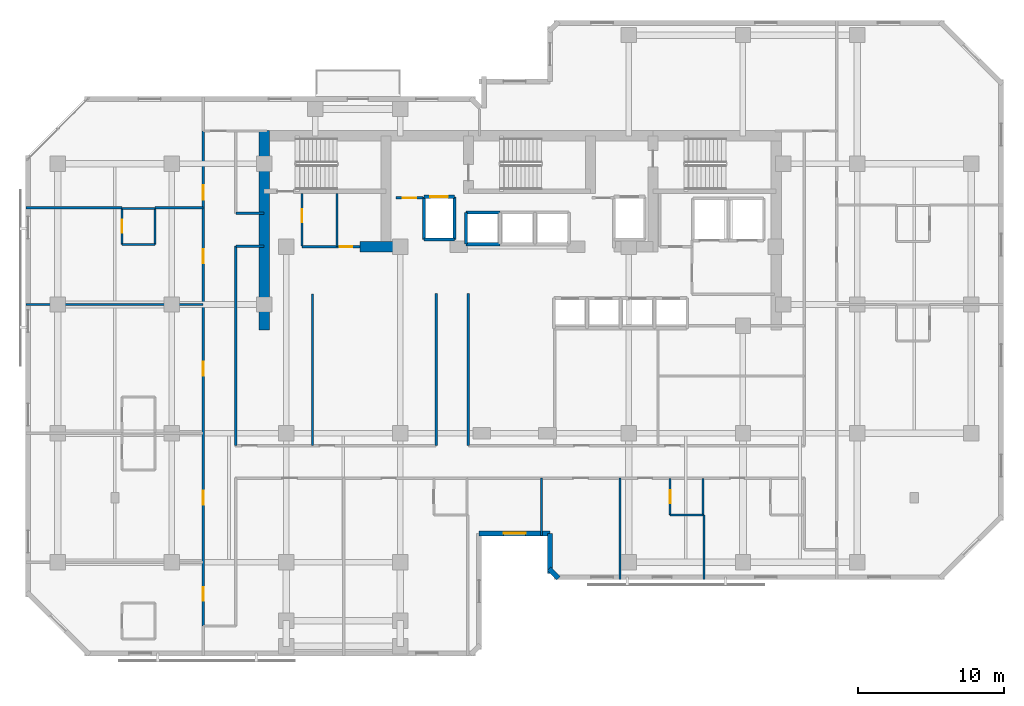
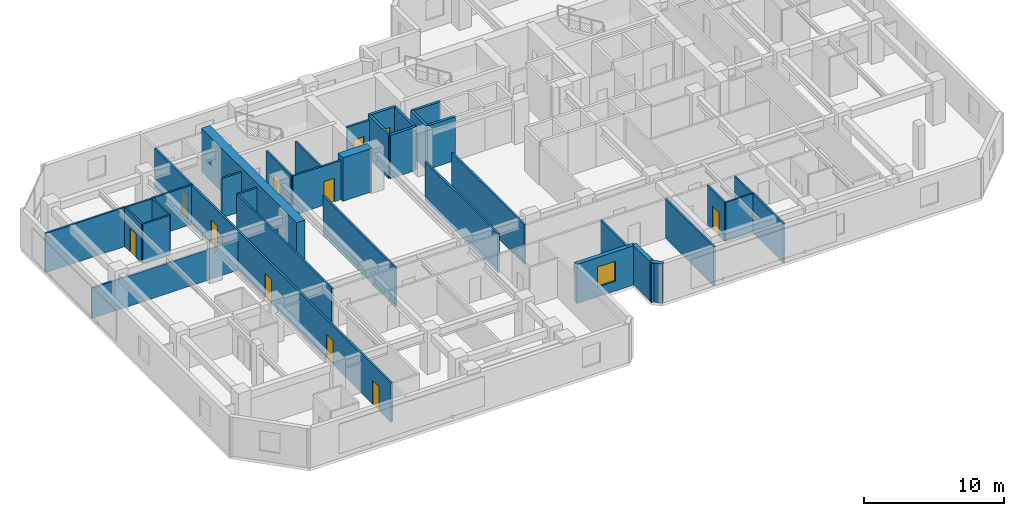
# One storey, part 5 of 11: 36 walls, 11 doors, 1 window, 12 openings.
"""IFC4 building model written with IfcOpenShell, lengths in metres."""

from ifc_helpers import new_model, si_unit, direction, frame, frame_2d, origin, place, context, subcontext, project, spatial, rectangle, extrude, material, layer, layer_set, type_object, element, fill, save


model = new_model("IFC4")

# Units and contexts
model_context = context("Model", 3, precision=1e-05, world=origin(), true_north=direction((0.0, 1.0)))
body_context = subcontext(model_context, "Body", "Model", "MODEL_VIEW")
ifc_project = project(units=[si_unit("LENGTHUNIT", "METRE"), si_unit("AREAUNIT", "SQUARE_METRE"), si_unit("VOLUMEUNIT", "CUBIC_METRE"), si_unit("PLANEANGLEUNIT", "RADIAN"), si_unit("MASSUNIT", "GRAM", prefix="KILO")], contexts=[model_context])

# Site, building, storey
site_placement = place(None, origin())
site = spatial("IfcSite", under=ifc_project, at=site_placement, CompositionType="ELEMENT")
building_placement = place(site_placement, origin())
building = spatial("IfcBuilding", under=site, at=building_placement, Name="Kestravale Grand Hotel", CompositionType="ELEMENT")
storey_placement = place(building_placement, frame((0.0, 0.0, 180.199951171875)))
storey = spatial("IfcBuildingStorey", under=building, at=storey_placement, Name="L45", CompositionType="ELEMENT", Elevation=180.199951171875)

# Walls
ifc_material_1 = material(Name="Concrete f'c 60 MPa", Category="concrete")
ifc_layer_1 = layer(ifc_material_1, 0.699951171875)
ifc_layer_set_1 = layer_set([ifc_layer_1], Name="EW-CORE-700")
wall_type_1 = type_object("IfcWallType", Name="EW-CORE-700", PredefinedType="SHEAR", material=ifc_layer_set_1)
wall_1_placement = place(storey_placement, frame((21.89990234375, 27.050048828125, 0.0), z_axis=(0.0, 0.0, 1.0), x_axis=(0.0, 1.0, 0.0)))
element("IfcWall", 1, at=wall_1_placement, inside=storey, type_object=wall_type_1, Name="L45 core shear wall W1", PredefinedType="SHEAR", context=body_context, shape_type="SweptSolid", body=[
    extrude(rectangle(XDim=13.619873046875, YDim=0.699951171875, at=frame_2d((6.81005859375, 0.0))), origin(), (0.0, 0.0, 1.0), 3.800048828125),
])
wall_2_placement = place(storey_placement, frame((28.449951171875, 32.75, 0.0), z_axis=(0.0, 0.0, 1.0), x_axis=(1.0, 0.0, 0.0)))
element("IfcWall", 2, at=wall_2_placement, inside=storey, type_object=wall_type_1, Name="L45 core shear wall S1", PredefinedType="SHEAR", context=body_context, shape_type="SweptSolid", body=[
    extrude(rectangle(XDim=2.400146484375, YDim=0.699951171875, at=frame_2d((1.2001953125, 0.0))), origin(), (0.0, 0.0, 1.0), 3.800048828125),
])

# Wall, opening, window
ifc_material_2 = material(Name="Precast concrete f'c 45 MPa", Category="concrete")
ifc_layer_2 = layer(ifc_material_2, 0.340087890625)
ifc_layer_set_2 = layer_set([ifc_layer_2], Name="EW-PREC-340")
wall_type_2 = type_object("IfcWallType", Name="EW-PREC-340", PredefinedType="SOLIDWALL", material=ifc_layer_set_2)
wall_3_placement = place(storey_placement, frame((36.580078125, 13.169921875, 0.0), z_axis=(0.0, 0.0, 1.0), x_axis=(1.0, 0.0, 0.0)))
wall_3 = element("IfcWall", 3, at=wall_3_placement, inside=storey, type_object=wall_type_2, Name="L45 fluted precast facade wall 4", PredefinedType="SOLIDWALL", context=body_context, shape_type="SweptSolid", body=[
    extrude(rectangle(XDim=4.83984375, YDim=0.340087890625, at=frame_2d((2.419921875, 0.0))), origin(), (0.0, 0.0, 1.0), 3.420166015625),
])
opening_1_placement = place(wall_3_placement, frame((1.669921875, 0.0, 0.85009765625)))
opening_1 = element("IfcOpeningElement", 4, at=opening_1_placement, cuts=wall_3, Name="Opening W-GUEST-1500", PredefinedType="OPENING", context=body_context, shape_type="SweptSolid", body=[
    extrude(rectangle(XDim=1.5, YDim=1.75, at=frame_2d((0.75, 0.875))), frame((0.0, 0.179931640625, 0.0), z_axis=(0.0, -1.0, 0.0), x_axis=(1.0, 0.0, 0.0)), (0.0, 0.0, 1.0), 0.360107421875),
])
ifc_material_3 = material(Name="Insulated low-E double glazing in aluminium frame", Category="aluminium")
window_type = type_object("IfcWindowType", Name="W-GUEST-1500", PartitioningType="SINGLE_PANEL", PredefinedType="WINDOW", material=ifc_material_3)
window_placement = place(opening_1_placement, origin())
window = element("IfcWindow", 5, at=window_placement, inside=storey, type_object=window_type, Name="L45 exterior window 4.1", OverallHeight=1.75, OverallWidth=1.5, PartitioningType="SINGLE_PANEL", PredefinedType="WINDOW", context=body_context, shape_type="SweptSolid", body=[
    extrude(rectangle(XDim=1.5, YDim=1.75, at=frame_2d((0.75, 0.875))), frame((0.0, 0.030029296875, 0.0), z_axis=(0.0, -1.0, 0.0), x_axis=(1.0, 0.0, 0.0)), (0.0, 0.0, 1.0), 0.06005859375),
])
fill(opening_1, window)

# Walls
wall_4_placement = place(storey_placement, frame((41.419921875, 13.169921875, 0.0), z_axis=(0.0, 0.0, 1.0), x_axis=(0.0, -1.0, 0.0)))
element("IfcWall", 6, at=wall_4_placement, inside=storey, type_object=wall_type_2, Name="L45 fluted precast facade wall 5", PredefinedType="SOLIDWALL", context=body_context, shape_type="SweptSolid", body=[
    extrude(rectangle(XDim=2.739990234375, YDim=0.340087890625, at=frame_2d((1.3701171875, 0.0))), origin(), (0.0, 0.0, 1.0), 3.420166015625),
])
wall_5_placement = place(storey_placement, frame((41.341796875, 10.74853515625, 0.0), z_axis=(0.0, 0.0, 1.0), x_axis=(0.707106781187, -0.707106781187, 0.0)))
element("IfcWall", 7, at=wall_5_placement, inside=storey, type_object=wall_type_2, Name="L45 fluted precast facade wall 6", PredefinedType="SOLIDWALL", context=body_context, shape_type="SweptSolid", body=[
    extrude(rectangle(XDim=0.9287109375, YDim=0.340087890625, at=frame_2d((0.46435546875, 0.0))), origin(), (0.0, 0.0, 1.0), 3.420166015625),
])

# Wall, opening, door
ifc_material_4 = material(Name="Acoustic fire-rated gypsum board partition", Category="other")
ifc_layer_3 = layer(ifc_material_4, 0.159912109375)
ifc_layer_set_3 = layer_set([ifc_layer_3], Name="IW-CORR-160")
wall_type_3 = type_object("IfcWallType", Name="IW-CORR-160", PredefinedType="PARTITIONING", material=ifc_layer_set_3)
wall_6_placement = place(storey_placement, frame((24.47998046875, 32.800048828125, 0.0), z_axis=(0.0, 0.0, 1.0), x_axis=(0.0, 1.0, 0.0)))
wall_6 = element("IfcWall", 8, at=wall_6_placement, inside=storey, type_object=wall_type_3, Name="L45 west core vestibule wall", PredefinedType="PARTITIONING", context=body_context, shape_type="SweptSolid", body=[
    extrude(rectangle(XDim=3.570068359375, YDim=0.159912109375, at=frame_2d((1.78515625, 0.0))), origin(), (0.0, 0.0, 1.0), 3.420166015625),
])
opening_2_placement = place(wall_6_placement, frame((1.603515625, 0.0, 0.0)))
opening_2 = element("IfcOpeningElement", 9, at=opening_2_placement, cuts=wall_6, Name="Opening D-SH-900", PredefinedType="OPENING", context=body_context, shape_type="SweptSolid", body=[
    extrude(rectangle(XDim=0.89990234375, YDim=2.10009765625, at=frame_2d((0.449951171875, 1.050048828125))), frame((0.0, 0.08984375, 0.0), z_axis=(0.0, -1.0, 0.0), x_axis=(1.0, 0.0, 0.0)), (0.0, 0.0, 1.0), 0.179931640625),
])
ifc_material_5 = material(Name="Galvanised 90-minute shaft and service fire door", Category="steel")
door_type_1 = type_object("IfcDoorType", Name="D-SH-900", OperationType="NOTDEFINED", PredefinedType="DOOR", material=ifc_material_5)
door_1_placement = place(opening_2_placement, origin())
door_1 = element("IfcDoor", 10, at=door_1_placement, inside=storey, type_object=door_type_1, Name="D-L45-HK", OperationType="SINGLE_SWING_RIGHT", OverallHeight=2.10009765625, OverallWidth=0.89990234375, PredefinedType="DOOR", context=body_context, shape_type="SweptSolid", body=[
    extrude(rectangle(XDim=0.89990234375, YDim=2.10009765625, at=frame_2d((0.449951171875, 1.050048828125))), frame((0.0, 0.02490234375, 0.0), z_axis=(0.0, -1.0, 0.0), x_axis=(1.0, 0.0, 0.0)), (0.0, 0.0, 1.0), 0.050048828125),
])
fill(opening_2, door_1)

wall_7_placement = place(storey_placement, frame((24.47998046875, 32.75, 0.0), z_axis=(0.0, 0.0, 1.0), x_axis=(1.0, 0.0, 0.0)))
wall_7 = element("IfcWall", 11, at=wall_7_placement, inside=storey, type_object=wall_type_3, Name="W-L45-CWS", PredefinedType="PARTITIONING", context=body_context, shape_type="SweptSolid", body=[
    extrude(rectangle(XDim=3.969970703125, YDim=0.159912109375, at=frame_2d((1.98486328125, 0.0))), origin(), (0.0, 0.0, 1.0), 3.420166015625),
])
opening_3_placement = place(wall_7_placement, frame((2.5849609375, 0.0, 0.0)))
opening_3 = element("IfcOpeningElement", 12, at=opening_3_placement, cuts=wall_7, Name="Opening D-SH-860", PredefinedType="OPENING", context=body_context, shape_type="SweptSolid", body=[
    extrude(rectangle(XDim=0.860107421875, YDim=2.050048828125, at=frame_2d((0.43017578125, 1.02490234375))), frame((0.0, 0.08984375, 0.0), z_axis=(0.0, -1.0, 0.0), x_axis=(1.0, 0.0, 0.0)), (0.0, 0.0, 1.0), 0.179931640625),
])
ifc_material_6 = material(Name="Galvanised 90-minute riser fire door", Category="steel")
door_type_2 = type_object("IfcDoorType", Name="D-SH-860", OperationType="NOTDEFINED", PredefinedType="DOOR", material=ifc_material_6)
door_2_placement = place(opening_3_placement, origin())
door_2 = element("IfcDoor", 13, at=door_2_placement, inside=storey, type_object=door_type_2, Name="D-L45-ELEC", OperationType="SINGLE_SWING_RIGHT", OverallHeight=2.050048828125, OverallWidth=0.860107421875, PredefinedType="DOOR", context=body_context, shape_type="SweptSolid", body=[
    extrude(rectangle(XDim=0.860107421875, YDim=2.050048828125, at=frame_2d((0.43017578125, 1.02490234375))), frame((0.0, 0.02490234375, 0.0), z_axis=(0.0, -1.0, 0.0), x_axis=(1.0, 0.0, 0.0)), (0.0, 0.0, 1.0), 0.050048828125),
])
fill(opening_3, door_2)

# Walls
for number, where, z_axis, x_axis, name in (
    (14, (33.64990234375, 19.159912109375, 0.0), (0.0, 0.0, 1.0), (0.0, 1.0, 0.0), "W-L45-TRUNK-W"),
    (15, (35.85009765625, 19.159912109375, 0.0), (0.0, 0.0, 1.0), (0.0, 1.0, 0.0), "W-L45-TRUNK-E"),
):
    element("IfcWall", number, at=place(storey_placement, frame(where, z_axis=z_axis, x_axis=x_axis)), inside=storey, type_object=wall_type_3, Name=name, PredefinedType="PARTITIONING", context=body_context, shape_type="SweptSolid", body=[
        extrude(rectangle(XDim=10.39013671875, YDim=0.159912109375, at=frame_2d((5.195068359375, 0.0))), origin(), (0.0, 0.0, 1.0), 3.420166015625),
    ])

# Wall, openings, doors
wall_8_placement = place(storey_placement, frame((17.739990234375, 6.85009765625, 0.0), z_axis=(0.0, 0.0, 1.0), x_axis=(0.0, 1.0, 0.0)))
wall_8 = element("IfcWall", 16, at=wall_8_placement, inside=storey, type_object=wall_type_3, Name="W-L45-SW-W", PredefinedType="PARTITIONING", context=body_context, shape_type="SweptSolid", body=[
    extrude(rectangle(XDim=33.7998046875, YDim=0.159912109375, at=frame_2d((16.89990234375, 0.0))), origin(), (0.0, 0.0, 1.0), 3.420166015625),
])
opening_4_placement = place(wall_8_placement, frame((1.699951171875, 0.0, 0.0)))
opening_4 = element("IfcOpeningElement", 17, at=opening_4_placement, cuts=wall_8, Name="Opening D-GUEST-950", PredefinedType="OPENING", context=body_context, shape_type="SweptSolid", body=[
    extrude(rectangle(XDim=0.949951171875, YDim=2.10009765625, at=frame_2d((0.47509765625, 1.050048828125))), frame((0.0, 0.08984375, 0.0), z_axis=(0.0, -1.0, 0.0), x_axis=(1.0, 0.0, 0.0)), (0.0, 0.0, 1.0), 0.179931640625),
])
opening_5_placement = place(wall_8_placement, frame((8.27490234375, 0.0, 0.0)))
opening_5 = element("IfcOpeningElement", 18, at=opening_5_placement, cuts=wall_8, Name="Opening D-GUEST-950", PredefinedType="OPENING", context=body_context, shape_type="SweptSolid", body=[
    extrude(rectangle(XDim=0.949951171875, YDim=2.10009765625, at=frame_2d((0.47509765625, 1.050048828125))), frame((0.0, 0.08984375, 0.0), z_axis=(0.0, -1.0, 0.0), x_axis=(1.0, 0.0, 0.0)), (0.0, 0.0, 1.0), 0.179931640625),
])
opening_6_placement = place(wall_8_placement, frame((17.074951171875, 0.0, 0.0)))
opening_6 = element("IfcOpeningElement", 19, at=opening_6_placement, cuts=wall_8, Name="Opening D-GUEST-950", PredefinedType="OPENING", context=body_context, shape_type="SweptSolid", body=[
    extrude(rectangle(XDim=0.949951171875, YDim=2.10009765625, at=frame_2d((0.47509765625, 1.050048828125))), frame((0.0, 0.08984375, 0.0), z_axis=(0.0, -1.0, 0.0), x_axis=(1.0, 0.0, 0.0)), (0.0, 0.0, 1.0), 0.179931640625),
])
opening_7_placement = place(wall_8_placement, frame((24.77490234375, 0.0, 0.0)))
opening_7 = element("IfcOpeningElement", 20, at=opening_7_placement, cuts=wall_8, Name="Opening D-GUEST-950", PredefinedType="OPENING", context=body_context, shape_type="SweptSolid", body=[
    extrude(rectangle(XDim=0.949951171875, YDim=2.10009765625, at=frame_2d((0.47509765625, 1.050048828125))), frame((0.0, 0.08984375, 0.0), z_axis=(0.0, -1.0, 0.0), x_axis=(1.0, 0.0, 0.0)), (0.0, 0.0, 1.0), 0.179931640625),
])
opening_8_placement = place(wall_8_placement, frame((29.10009765625, 0.0, 0.0)))
opening_8 = element("IfcOpeningElement", 21, at=opening_8_placement, cuts=wall_8, Name="Opening D-GUEST-1000", PredefinedType="OPENING", context=body_context, shape_type="SweptSolid", body=[
    extrude(rectangle(XDim=1.0, YDim=2.14990234375, at=frame_2d((0.5, 1.074951171875))), frame((0.0, 0.08984375, 0.0), z_axis=(0.0, -1.0, 0.0), x_axis=(1.0, 0.0, 0.0)), (0.0, 0.0, 1.0), 0.179931640625),
])
ifc_material_7 = material(Name="Accessible walnut veneer hotel entrance fire door", Category="wood")
door_type_3 = type_object("IfcDoorType", Name="D-GUEST-1000", OperationType="NOTDEFINED", PredefinedType="DOOR", material=ifc_material_7)
door_3_placement = place(opening_8_placement, origin())
door_3 = element("IfcDoor", 22, at=door_3_placement, inside=storey, type_object=door_type_3, Name="D-L45-AMWW", OperationType="SINGLE_SWING_LEFT", OverallHeight=2.14990234375, OverallWidth=1.0, PredefinedType="DOOR", context=body_context, shape_type="SweptSolid", body=[
    extrude(rectangle(XDim=1.0, YDim=2.14990234375, at=frame_2d((0.5, 1.074951171875))), frame((0.0, 0.02490234375, 0.0), z_axis=(0.0, -1.0, 0.0), x_axis=(1.0, 0.0, 0.0)), (0.0, 0.0, 1.0), 0.050048828125),
])
fill(opening_8, door_3)
ifc_material_8 = material(Name="Walnut veneer hotel guestroom entrance fire door", Category="wood")
door_type_4 = type_object("IfcDoorType", Name="D-GUEST-950", OperationType="NOTDEFINED", PredefinedType="DOOR", material=ifc_material_8)
door_4_placement = place(opening_4_placement, origin())
door_4 = element("IfcDoor", 23, at=door_4_placement, inside=storey, type_object=door_type_4, Name="D-L45-U04-ENT", OperationType="SINGLE_SWING_RIGHT", OverallHeight=2.10009765625, OverallWidth=0.949951171875, PredefinedType="DOOR", context=body_context, shape_type="SweptSolid", body=[
    extrude(rectangle(XDim=0.949951171875, YDim=2.10009765625, at=frame_2d((0.47509765625, 1.050048828125))), frame((0.0, 0.02490234375, 0.0), z_axis=(0.0, -1.0, 0.0), x_axis=(1.0, 0.0, 0.0)), (0.0, 0.0, 1.0), 0.050048828125),
])
fill(opening_4, door_4)
door_5_placement = place(opening_5_placement, origin())
door_5 = element("IfcDoor", 24, at=door_5_placement, inside=storey, type_object=door_type_4, Name="D-L45-U05-ENT", OperationType="SINGLE_SWING_RIGHT", OverallHeight=2.10009765625, OverallWidth=0.949951171875, PredefinedType="DOOR", context=body_context, shape_type="SweptSolid", body=[
    extrude(rectangle(XDim=0.949951171875, YDim=2.10009765625, at=frame_2d((0.47509765625, 1.050048828125))), frame((0.0, 0.02490234375, 0.0), z_axis=(0.0, -1.0, 0.0), x_axis=(1.0, 0.0, 0.0)), (0.0, 0.0, 1.0), 0.050048828125),
])
fill(opening_5, door_5)
door_6_placement = place(opening_6_placement, origin())
door_6 = element("IfcDoor", 25, at=door_6_placement, inside=storey, type_object=door_type_4, Name="D-L45-U06-ENT", OperationType="SINGLE_SWING_RIGHT", OverallHeight=2.10009765625, OverallWidth=0.949951171875, PredefinedType="DOOR", context=body_context, shape_type="SweptSolid", body=[
    extrude(rectangle(XDim=0.949951171875, YDim=2.10009765625, at=frame_2d((0.47509765625, 1.050048828125))), frame((0.0, 0.02490234375, 0.0), z_axis=(0.0, -1.0, 0.0), x_axis=(1.0, 0.0, 0.0)), (0.0, 0.0, 1.0), 0.050048828125),
])
fill(opening_6, door_6)
door_7_placement = place(opening_7_placement, origin())
door_7 = element("IfcDoor", 26, at=door_7_placement, inside=storey, type_object=door_type_4, Name="D-L45-U07-ENT", OperationType="SINGLE_SWING_RIGHT", OverallHeight=2.10009765625, OverallWidth=0.949951171875, PredefinedType="DOOR", context=body_context, shape_type="SweptSolid", body=[
    extrude(rectangle(XDim=0.949951171875, YDim=2.10009765625, at=frame_2d((0.47509765625, 1.050048828125))), frame((0.0, 0.02490234375, 0.0), z_axis=(0.0, -1.0, 0.0), x_axis=(1.0, 0.0, 0.0)), (0.0, 0.0, 1.0), 0.050048828125),
])
fill(opening_7, door_7)

# Walls
for number, where, z_axis, x_axis, name in (
    (27, (19.9599609375, 35.02001953125, 0.0), (0.0, 0.0, 1.0), (1.0, 0.0, 0.0), "W-L45-SW-CN"),
    (28, (19.9599609375, 32.780029296875, 0.0), (0.0, 0.0, 1.0), (1.0, 0.0, 0.0), "W-L45-SW-CS"),
):
    element("IfcWall", number, at=place(storey_placement, frame(where, z_axis=z_axis, x_axis=x_axis)), inside=storey, type_object=wall_type_3, Name=name, PredefinedType="PARTITIONING", context=body_context, shape_type="SweptSolid", body=[
        extrude(rectangle(XDim=1.93994140625, YDim=0.159912109375, at=frame_2d((0.969970703125, 0.0))), origin(), (0.0, 0.0, 1.0), 3.420166015625),
    ])

# Wall, opening, door
ifc_material_9 = material(Name="Fire-rated gypsum board on steel studs with mineral wool", Category="steel")
ifc_layer_4 = layer(ifc_material_9, 0.179931640625)
ifc_layer_set_4 = layer_set([ifc_layer_4], Name="IW-FSAE-180")
wall_type_4 = type_object("IfcWallType", Name="IW-FSAE-180", PredefinedType="PARTITIONING", material=ifc_layer_set_4)
wall_9_placement = place(storey_placement, frame((30.89990234375, 36.080078125, 0.0), z_axis=(0.0, 0.0, 1.0), x_axis=(1.0, 0.0, 0.0)))
wall_9 = element("IfcWall", 29, at=wall_9_placement, inside=storey, type_object=wall_type_4, Name="L45 FSAE Lobby 1 smoke barrier", PredefinedType="PARTITIONING", context=body_context, shape_type="SweptSolid", body=[
    extrude(rectangle(XDim=1.85009765625, YDim=0.179931640625, at=frame_2d((0.925048828125, 0.0))), origin(), (0.0, 0.0, 1.0), 3.420166015625),
])
opening_9_placement = place(wall_9_placement, frame((0.47998046875, 0.0, 0.0)))
opening_9 = element("IfcOpeningElement", 30, at=opening_9_placement, cuts=wall_9, Name="Opening D-FSAE-1000", PredefinedType="OPENING", context=body_context, shape_type="SweptSolid", body=[
    extrude(rectangle(XDim=0.89990234375, YDim=2.14990234375, at=frame_2d((0.449951171875, 1.074951171875))), frame((0.0, 0.099853515625, 0.0), z_axis=(0.0, -1.0, 0.0), x_axis=(1.0, 0.0, 0.0)), (0.0, 0.0, 1.0), 0.199951171875),
])
ifc_material_10 = material(Name="Smoke-gasketed FSAE lobby fire door", Category="steel")
door_type_5 = type_object("IfcDoorType", Name="D-FSAE-1000", OperationType="NOTDEFINED", PredefinedType="DOOR", material=ifc_material_10)
door_8_placement = place(opening_9_placement, origin())
door_8 = element("IfcDoor", 31, at=door_8_placement, inside=storey, type_object=door_type_5, Name="L45 FSAE Lobby 1 fire door", OperationType="SINGLE_SWING_RIGHT", OverallHeight=2.14990234375, OverallWidth=0.89990234375, PredefinedType="DOOR", context=body_context, shape_type="SweptSolid", body=[
    extrude(rectangle(XDim=0.89990234375, YDim=2.14990234375, at=frame_2d((0.449951171875, 1.074951171875))), frame((0.0, 0.02490234375, 0.0), z_axis=(0.0, -1.0, 0.0), x_axis=(1.0, 0.0, 0.0)), (0.0, 0.0, 1.0), 0.050048828125),
])
fill(opening_9, door_8)

ifc_material_11 = material(Name="Moisture-resistant tile-backer plumbing chase wall", Category="other")
ifc_layer_5 = layer(ifc_material_11, 0.139892578125)
ifc_layer_set_5 = layer_set([ifc_layer_5], Name="IW-PLB-140")
wall_type_5 = type_object("IfcWallType", Name="IW-PLB-140", PredefinedType="PLUMBINGWALL", material=ifc_layer_set_5)
wall_10_placement = place(storey_placement, frame((49.632568359375, 14.429931640625, 0.0), z_axis=(0.0, 0.0, 1.0), x_axis=(0.0, 1.0, 0.0)))
wall_10 = element("IfcWall", 32, at=wall_10_placement, inside=storey, type_object=wall_type_5, Name="W-L45-U02-BW", PredefinedType="PLUMBINGWALL", context=body_context, shape_type="SweptSolid", body=[
    extrude(rectangle(XDim=2.489990234375, YDim=0.139892578125, at=frame_2d((1.2451171875, 0.0))), origin(), (0.0, 0.0, 1.0), 3.420166015625),
])
opening_10_placement = place(wall_10_placement, frame((0.804931640625, 0.0, 0.0)))
opening_10 = element("IfcOpeningElement", 33, at=opening_10_placement, cuts=wall_10, Name="Opening D-BATH-880", PredefinedType="OPENING", context=body_context, shape_type="SweptSolid", body=[
    extrude(rectangle(XDim=0.8798828125, YDim=2.050048828125, at=frame_2d((0.43994140625, 1.02490234375))), frame((0.0, 0.079833984375, 0.0), z_axis=(0.0, -1.0, 0.0), x_axis=(1.0, 0.0, 0.0)), (0.0, 0.0, 1.0), 0.159912109375),
])
ifc_material_12 = material(Name="Moisture-sealed walnut en-suite bathroom door", Category="wood")
door_type_6 = type_object("IfcDoorType", Name="D-BATH-880", OperationType="NOTDEFINED", PredefinedType="DOOR", material=ifc_material_12)
door_9_placement = place(opening_10_placement, origin())
door_9 = element("IfcDoor", 34, at=door_9_placement, inside=storey, type_object=door_type_6, Name="D-L45-U02-BATH", OperationType="SINGLE_SWING_LEFT", OverallHeight=2.050048828125, OverallWidth=0.8798828125, PredefinedType="DOOR", context=body_context, shape_type="SweptSolid", body=[
    extrude(rectangle(XDim=0.8798828125, YDim=2.050048828125, at=frame_2d((0.43994140625, 1.02490234375))), frame((0.0, 0.02490234375, 0.0), z_axis=(0.0, -1.0, 0.0), x_axis=(1.0, 0.0, 0.0)), (0.0, 0.0, 1.0), 0.050048828125),
])
fill(opening_10, door_9)

# Walls
wall_11_placement = place(storey_placement, frame((51.882568359375, 14.429931640625, 0.0), z_axis=(0.0, 0.0, 1.0), x_axis=(0.0, 1.0, 0.0)))
element("IfcWall", 35, at=wall_11_placement, inside=storey, type_object=wall_type_5, Name="W-L45-U02-BE", PredefinedType="PLUMBINGWALL", context=body_context, shape_type="SweptSolid", body=[
    extrude(rectangle(XDim=2.489990234375, YDim=0.139892578125, at=frame_2d((1.2451171875, 0.0))), origin(), (0.0, 0.0, 1.0), 3.420166015625),
])
wall_12_placement = place(storey_placement, frame((49.632568359375, 14.429931640625, 0.0), z_axis=(0.0, 0.0, 1.0), x_axis=(1.0, 0.0, 0.0)))
element("IfcWall", 36, at=wall_12_placement, inside=storey, type_object=wall_type_5, Name="W-L45-U02-BS", PredefinedType="PLUMBINGWALL", context=body_context, shape_type="SweptSolid", body=[
    extrude(rectangle(XDim=2.25, YDim=0.139892578125, at=frame_2d((1.125, 0.0))), origin(), (0.0, 0.0, 1.0), 3.420166015625),
])

# Wall, opening, door
wall_13_placement = place(storey_placement, frame((12.199951171875, 32.909912109375, 0.0), z_axis=(0.0, 0.0, 1.0), x_axis=(0.0, 1.0, 0.0)))
wall_13 = element("IfcWall", 37, at=wall_13_placement, inside=storey, type_object=wall_type_5, Name="W-L45-U07-BW", PredefinedType="PLUMBINGWALL", context=body_context, shape_type="SweptSolid", body=[
    extrude(rectangle(XDim=2.4501953125, YDim=0.139892578125, at=frame_2d((1.22509765625, 0.0))), origin(), (0.0, 0.0, 1.0), 3.420166015625),
])
opening_11_placement = place(wall_13_placement, frame((0.784912109375, 0.0, 0.0)))
opening_11 = element("IfcOpeningElement", 38, at=opening_11_placement, cuts=wall_13, Name="Opening D-BATH-880", PredefinedType="OPENING", context=body_context, shape_type="SweptSolid", body=[
    extrude(rectangle(XDim=0.8798828125, YDim=2.050048828125, at=frame_2d((0.43994140625, 1.02490234375))), frame((0.0, 0.079833984375, 0.0), z_axis=(0.0, -1.0, 0.0), x_axis=(1.0, 0.0, 0.0)), (0.0, 0.0, 1.0), 0.159912109375),
])
door_10_placement = place(opening_11_placement, origin())
door_10 = element("IfcDoor", 39, at=door_10_placement, inside=storey, type_object=door_type_6, Name="D-L45-U07-BATH", OperationType="SINGLE_SWING_LEFT", OverallHeight=2.050048828125, OverallWidth=0.8798828125, PredefinedType="DOOR", context=body_context, shape_type="SweptSolid", body=[
    extrude(rectangle(XDim=0.8798828125, YDim=2.050048828125, at=frame_2d((0.43994140625, 1.02490234375))), frame((0.0, 0.02490234375, 0.0), z_axis=(0.0, -1.0, 0.0), x_axis=(1.0, 0.0, 0.0)), (0.0, 0.0, 1.0), 0.050048828125),
])
fill(opening_11, door_10)

# Walls
wall_14_placement = place(storey_placement, frame((14.449951171875, 32.909912109375, 0.0), z_axis=(0.0, 0.0, 1.0), x_axis=(0.0, 1.0, 0.0)))
element("IfcWall", 40, at=wall_14_placement, inside=storey, type_object=wall_type_5, Name="W-L45-U07-BE", PredefinedType="PLUMBINGWALL", context=body_context, shape_type="SweptSolid", body=[
    extrude(rectangle(XDim=2.4501953125, YDim=0.139892578125, at=frame_2d((1.22509765625, 0.0))), origin(), (0.0, 0.0, 1.0), 3.420166015625),
])
for number, where, z_axis, x_axis, name in (
    (41, (12.199951171875, 32.909912109375, 0.0), (0.0, 0.0, 1.0), (1.0, 0.0, 0.0), "W-L45-U07-BS"),
    (42, (12.199951171875, 35.360107421875, 0.0), (0.0, 0.0, 1.0), (1.0, 0.0, 0.0), "W-L45-U07-BN"),
):
    element("IfcWall", number, at=place(storey_placement, frame(where, z_axis=z_axis, x_axis=x_axis)), inside=storey, type_object=wall_type_5, Name=name, PredefinedType="PLUMBINGWALL", context=body_context, shape_type="SweptSolid", body=[
        extrude(rectangle(XDim=2.25, YDim=0.139892578125, at=frame_2d((1.125, 0.0))), origin(), (0.0, 0.0, 1.0), 3.420166015625),
    ])
ifc_material_13 = material(Name="Concrete f'c 45 MPa", Category="concrete")
ifc_layer_6 = layer(ifc_material_13, 0.199951171875)
ifc_layer_set_6 = layer_set([ifc_layer_6], Name="IW-SHAFT-200")
wall_type_6 = type_object("IfcWallType", Name="IW-SHAFT-200", PredefinedType="SHEAR", material=ifc_layer_set_6)
wall_15_placement = place(storey_placement, frame((35.679931640625, 32.919921875, 0.0), z_axis=(0.0, 0.0, 1.0), x_axis=(0.0, 1.0, 0.0)))
element("IfcWall", 43, at=wall_15_placement, inside=storey, type_object=wall_type_6, Name="L45 PL-X1 west shaft wall", PredefinedType="SHEAR", context=body_context, shape_type="SweptSolid", body=[
    extrude(rectangle(XDim=2.16015625, YDim=0.199951171875, at=frame_2d((1.080078125, 0.0))), origin(), (0.0, 0.0, 1.0), 3.800048828125),
])
for number, where, z_axis, x_axis, name in (
    (44, (32.804931640625, 33.2451171875, 0.0), (0.0, 0.0, 1.0), (0.0, 1.0, 0.0), "L45 FL-1 west shaft wall"),
    (45, (34.89501953125, 33.2451171875, 0.0), (0.0, 0.0, 1.0), (0.0, 1.0, 0.0), "L45 FL-1 east shaft wall"),
):
    element("IfcWall", number, at=place(storey_placement, frame(where, z_axis=z_axis, x_axis=x_axis)), inside=storey, type_object=wall_type_6, Name=name, PredefinedType="SHEAR", context=body_context, shape_type="SweptSolid", body=[
        extrude(rectangle(XDim=2.909912109375, YDim=0.199951171875, at=frame_2d((1.455078125, 0.0))), origin(), (0.0, 0.0, 1.0), 3.800048828125),
    ])
ifc_material_14 = material(Name="Concrete f'c 45 MPa", Category="concrete")
ifc_layer_7 = layer(ifc_material_14, 0.219970703125)
ifc_layer_set_7 = layer_set([ifc_layer_7], Name="IW-SHAFT-220")
wall_type_7 = type_object("IfcWallType", Name="IW-SHAFT-220", PredefinedType="SHEAR", material=ifc_layer_set_7)
for number, where, z_axis, x_axis, name in (
    (46, (35.679931640625, 35.080078125, 0.0), (0.0, 0.0, 1.0), (1.0, 0.0, 0.0), "L45 PL-X1 north shaft wall"),
    (47, (35.679931640625, 32.919921875, 0.0), (0.0, 0.0, 1.0), (1.0, 0.0, 0.0), "L45 PL-X1 south shaft wall"),
):
    element("IfcWall", number, at=place(storey_placement, frame(where, z_axis=z_axis, x_axis=x_axis)), inside=storey, type_object=wall_type_7, Name=name, PredefinedType="SHEAR", context=body_context, shape_type="SweptSolid", body=[
        extrude(rectangle(XDim=2.320068359375, YDim=0.219970703125, at=frame_2d((1.16015625, 0.0))), origin(), (0.0, 0.0, 1.0), 3.800048828125),
    ])

# Wall, opening, door
wall_16_placement = place(storey_placement, frame((32.804931640625, 36.155029296875, 0.0), z_axis=(0.0, 0.0, 1.0), x_axis=(1.0, 0.0, 0.0)))
wall_16 = element("IfcWall", 48, at=wall_16_placement, inside=storey, type_object=wall_type_7, Name="L45 FL-1 north shaft wall", PredefinedType="SHEAR", context=body_context, shape_type="SweptSolid", body=[
    extrude(rectangle(XDim=2.090087890625, YDim=0.219970703125, at=frame_2d((1.044921875, 0.0))), origin(), (0.0, 0.0, 1.0), 3.800048828125),
])
opening_12_placement = place(wall_16_placement, frame((0.445068359375, 0.0, 0.0)))
opening_12 = element("IfcOpeningElement", 49, at=opening_12_placement, cuts=wall_16, Name="Opening LD-FSAE-1200", PredefinedType="OPENING", context=body_context, shape_type="SweptSolid", body=[
    extrude(rectangle(XDim=1.199951171875, YDim=2.14990234375, at=frame_2d((0.60009765625, 1.074951171875))), frame((0.0, 0.119873046875, 0.0), z_axis=(0.0, -1.0, 0.0), x_axis=(1.0, 0.0, 0.0)), (0.0, 0.0, 1.0), 0.239990234375),
])
ifc_material_15 = material(Name="Stainless fire-service sliding elevator landing door", Category="steel")
door_type_7 = type_object("IfcDoorType", Name="LD-FSAE-1200", OperationType="NOTDEFINED", PredefinedType="DOOR", material=ifc_material_15)
door_11_placement = place(opening_12_placement, origin())
door_11 = element("IfcDoor", 50, at=door_11_placement, inside=storey, type_object=door_type_7, Name="L45 FL-1 elevator landing sliding door", OperationType="DOUBLE_DOOR_SLIDING", OverallHeight=2.14990234375, OverallWidth=1.199951171875, PredefinedType="DOOR", context=body_context, shape_type="SweptSolid", body=[
    extrude(rectangle(XDim=1.199951171875, YDim=2.14990234375, at=frame_2d((0.60009765625, 1.074951171875))), frame((0.0, 0.02490234375, 0.0), z_axis=(0.0, -1.0, 0.0), x_axis=(1.0, 0.0, 0.0)), (0.0, 0.0, 1.0), 0.050048828125),
])
fill(opening_12, door_11)

# Walls
wall_17_placement = place(storey_placement, frame((32.804931640625, 33.2451171875, 0.0), z_axis=(0.0, 0.0, 1.0), x_axis=(1.0, 0.0, 0.0)))
element("IfcWall", 51, at=wall_17_placement, inside=storey, type_object=wall_type_7, Name="L45 FL-1 south shaft wall", PredefinedType="SHEAR", context=body_context, shape_type="SweptSolid", body=[
    extrude(rectangle(XDim=2.090087890625, YDim=0.219970703125, at=frame_2d((1.044921875, 0.0))), origin(), (0.0, 0.0, 1.0), 3.800048828125),
])
ifc_material_16 = material(Name="Double-stud STC 52 acoustic demising partition", Category="other")
ifc_layer_8 = layer(ifc_material_16, 0.14990234375)
ifc_layer_set_8 = layer_set([ifc_layer_8], Name="IW-UNIT-150")
wall_type_8 = type_object("IfcWallType", Name="IW-UNIT-150", PredefinedType="PARTITIONING", material=ifc_layer_set_8)
wall_18_placement = place(storey_placement, frame((26.8798828125, 32.75, 0.0), z_axis=(0.0, 0.0, 1.0), x_axis=(0.0, 1.0, 0.0)))
element("IfcWall", 52, at=wall_18_placement, inside=storey, type_object=wall_type_8, Name="W-L45-CC0-1", PredefinedType="PARTITIONING", context=body_context, shape_type="SweptSolid", body=[
    extrude(rectangle(XDim=3.6201171875, YDim=0.14990234375, at=frame_2d((1.81005859375, 0.0))), origin(), (0.0, 0.0, 1.0), 3.420166015625),
])
wall_19_placement = place(storey_placement, frame((19.9599609375, 19.159912109375, 0.0), z_axis=(0.0, 0.0, 1.0), x_axis=(0.0, 1.0, 0.0)))
element("IfcWall", 53, at=wall_19_placement, inside=storey, type_object=wall_type_8, Name="W-L45-RCLW-W", PredefinedType="PARTITIONING", context=body_context, shape_type="SweptSolid", body=[
    extrude(rectangle(XDim=13.64013671875, YDim=0.14990234375, at=frame_2d((6.820068359375, 0.0))), origin(), (0.0, 0.0, 1.0), 3.420166015625),
])
wall_20_placement = place(storey_placement, frame((25.199951171875, 19.159912109375, 0.0), z_axis=(0.0, 0.0, 1.0), x_axis=(0.0, 1.0, 0.0)))
element("IfcWall", 54, at=wall_20_placement, inside=storey, type_object=wall_type_8, Name="W-L45-RCLW-M", PredefinedType="PARTITIONING", context=body_context, shape_type="SweptSolid", body=[
    extrude(rectangle(XDim=10.340087890625, YDim=0.14990234375, at=frame_2d((5.169921875, 0.0))), origin(), (0.0, 0.0, 1.0), 3.420166015625),
])
wall_21_placement = place(storey_placement, frame((40.85009765625, 13.02001953125, 0.0), z_axis=(0.0, 0.0, 1.0), x_axis=(0.0, 1.0, 0.0)))
element("IfcWall", 55, at=wall_21_placement, inside=storey, type_object=wall_type_8, Name="W-L45-ES-1", PredefinedType="PARTITIONING", context=body_context, shape_type="SweptSolid", body=[
    extrude(rectangle(XDim=3.919921875, YDim=0.14990234375, at=frame_2d((1.9599609375, 0.0))), origin(), (0.0, 0.0, 1.0), 3.420166015625),
])
wall_22_placement = place(storey_placement, frame((46.195068359375, 10.02001953125, 0.0), z_axis=(0.0, 0.0, 1.0), x_axis=(0.0, 1.0, 0.0)))
element("IfcWall", 56, at=wall_22_placement, inside=storey, type_object=wall_type_8, Name="W-L45-ES-2", PredefinedType="PARTITIONING", context=body_context, shape_type="SweptSolid", body=[
    extrude(rectangle(XDim=6.919921875, YDim=0.14990234375, at=frame_2d((3.4599609375, 0.0))), origin(), (0.0, 0.0, 1.0), 3.420166015625),
])
wall_23_placement = place(storey_placement, frame((51.9423828125, 10.02001953125, 0.0), z_axis=(0.0, 0.0, 1.0), x_axis=(0.0, 1.0, 0.0)))
element("IfcWall", 57, at=wall_23_placement, inside=storey, type_object=wall_type_8, Name="W-L45-ES-3", PredefinedType="PARTITIONING", context=body_context, shape_type="SweptSolid", body=[
    extrude(rectangle(XDim=4.409912109375, YDim=0.14990234375, at=frame_2d((2.205078125, 0.0))), origin(), (0.0, 0.0, 1.0), 3.420166015625),
])
wall_24_placement = place(storey_placement, frame((5.6201171875, 28.800048828125, 0.0), z_axis=(0.0, 0.0, 1.0), x_axis=(1.0, 0.0, 0.0)))
element("IfcWall", 58, at=wall_24_placement, inside=storey, type_object=wall_type_8, Name="W-L45-WW-3", PredefinedType="PARTITIONING", context=body_context, shape_type="SweptSolid", body=[
    extrude(rectangle(XDim=12.119873046875, YDim=0.14990234375, at=frame_2d((6.06005859375, 0.0))), origin(), (0.0, 0.0, 1.0), 2.64794921875),
])
wall_25_placement = place(storey_placement, frame((5.6201171875, 35.39990234375, 0.0), z_axis=(0.0, 0.0, 1.0), x_axis=(1.0, 0.0, 0.0)))
element("IfcWall", 59, at=wall_25_placement, inside=storey, type_object=wall_type_8, Name="W-L45-WW-4", PredefinedType="PARTITIONING", context=body_context, shape_type="SweptSolid", body=[
    extrude(rectangle(XDim=6.579833984375, YDim=0.14990234375, at=frame_2d((3.2900390625, 0.0))), origin(), (0.0, 0.0, 1.0), 3.420166015625),
])
wall_26_placement = place(storey_placement, frame((14.449951171875, 35.39990234375, 0.0), z_axis=(0.0, 0.0, 1.0), x_axis=(1.0, 0.0, 0.0)))
element("IfcWall", 60, at=wall_26_placement, inside=storey, type_object=wall_type_8, Name="W-L45-WW-4", PredefinedType="PARTITIONING", context=body_context, shape_type="SweptSolid", body=[
    extrude(rectangle(XDim=3.2900390625, YDim=0.14990234375, at=frame_2d((1.64501953125, 0.0))), origin(), (0.0, 0.0, 1.0), 3.420166015625),
])

save(model, "model.ifc")
